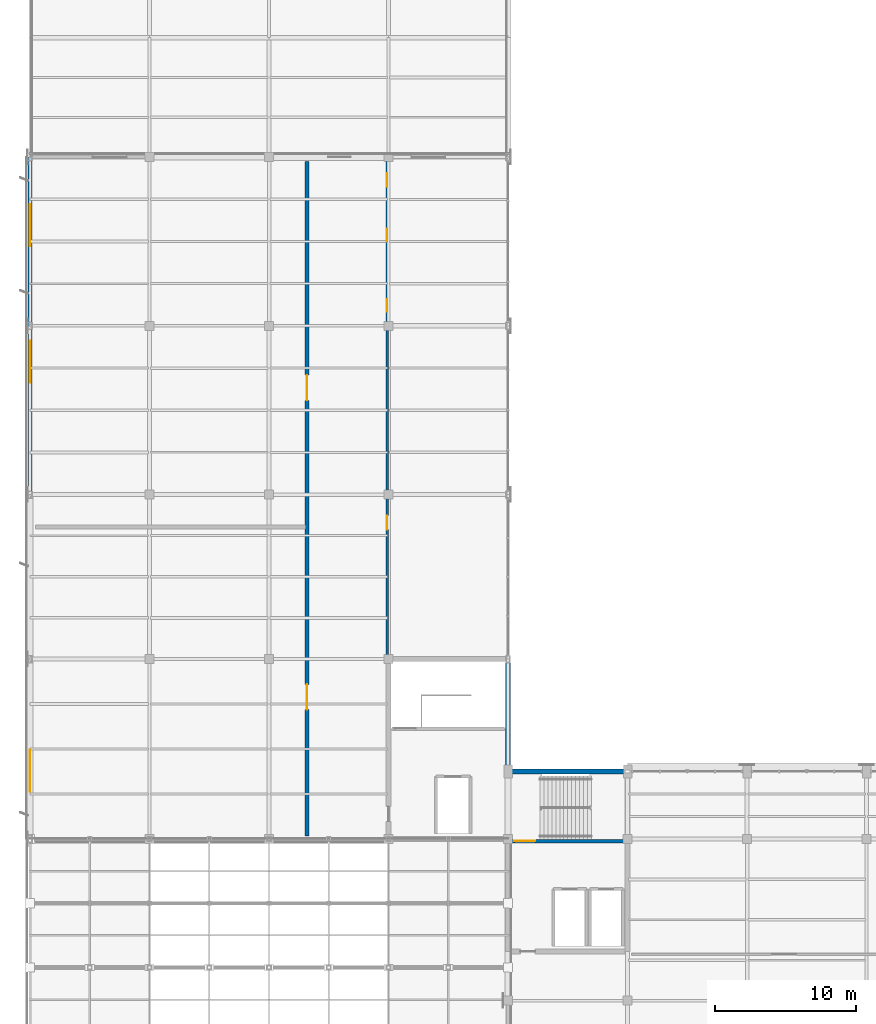
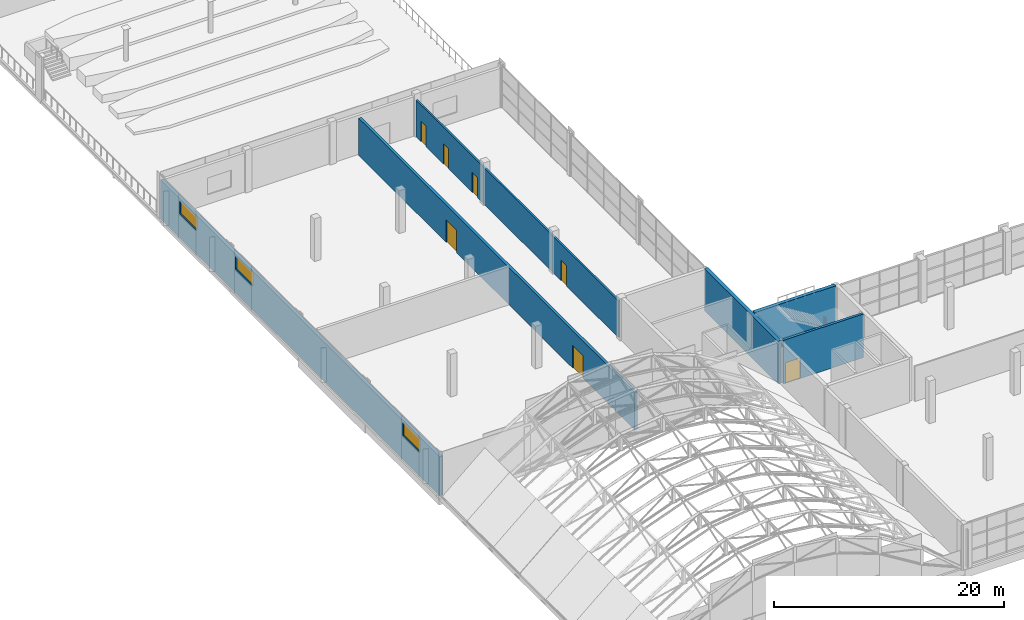
# One storey, part 69 of 86: 7 doors, 6 walls, 3 windows, 10 openings.
"""IFC4 building model written with IfcOpenShell, lengths in metres."""

from ifc_helpers import new_model, si_unit, direction, frame, frame_2d, origin, place, context, subcontext, project, spatial, rectangle, extrude, material, layer, layer_set, type_object, element, fill, save


model = new_model("IFC4")

# Units and contexts
model_context = context("Model", 3, precision=1e-05, world=origin(), true_north=direction((0.0, 1.0)))
body_context = subcontext(model_context, "Body", "Model", "MODEL_VIEW")
ifc_project = project(units=[si_unit("LENGTHUNIT", "METRE"), si_unit("AREAUNIT", "SQUARE_METRE"), si_unit("VOLUMEUNIT", "CUBIC_METRE"), si_unit("PLANEANGLEUNIT", "RADIAN"), si_unit("MASSUNIT", "GRAM", prefix="KILO")], contexts=[model_context])

# Site, building, storey
site_placement = place(None, origin())
site = spatial("IfcSite", under=ifc_project, at=site_placement, CompositionType="ELEMENT")
building_placement = place(site_placement, origin())
building = spatial("IfcBuilding", under=site, at=building_placement, Name="Solvikara Media Centre", CompositionType="ELEMENT")
storey_placement = place(building_placement, frame((0.0, 0.0, 15.0)))
storey = spatial("IfcBuildingStorey", under=building, at=storey_placement, Name="L03", CompositionType="ELEMENT", Elevation=15.0)

# Walls
ifc_material_1 = material(Name="Concrete fc' 45 MPa (C45/55)", Category="concrete")
ifc_layer_1 = layer(ifc_material_1, 0.35009765625)
ifc_layer_set_1 = layer_set([ifc_layer_1], Name="Concrete fc' 45 MPa (C45/55)")
wall_type_1 = type_object("IfcWallType", Name="WT-03", PredefinedType="SHEAR", material=ifc_layer_set_1)
wall_1_placement = place(storey_placement, frame((34.0, 32.0, 0.0), z_axis=(0.0, 0.0, 1.0), x_axis=(0.0, 1.0, 0.0)))
element("IfcWall", 1, at=wall_1_placement, inside=storey, type_object=wall_type_1, Name="CW-C1-L03-E", PredefinedType="SHEAR", context=body_context, shape_type="SweptSolid", body=[
    extrude(rectangle(XDim=12.800048828125, YDim=0.35009765625, at=frame_2d((6.39990234375, 0.0))), origin(), (0.0, 0.0, 1.0), 4.489990234375),
])
wall_2_placement = place(storey_placement, frame((34.175048828125, 36.800048828125, 0.0), z_axis=(0.0, 0.0, 1.0), x_axis=(1.0, 0.0, 0.0)))
element("IfcWall", 2, at=wall_2_placement, inside=storey, type_object=wall_type_1, Name="CW-C2-L03-N", PredefinedType="SHEAR", context=body_context, shape_type="SweptSolid", body=[
    extrude(rectangle(XDim=8.14990234375, YDim=0.35009765625, at=frame_2d((4.074951171875, 0.0))), origin(), (0.0, 0.0, 1.0), 4.639892578125),
])

# Wall, opening, door
ifc_layer_2 = layer(ifc_material_1, 0.25)
ifc_layer_set_2 = layer_set([ifc_layer_2], Name="Concrete fc' 45 MPa (C45/55)")
wall_type_2 = type_object("IfcWallType", Name="WT-07", PredefinedType="STANDARD", material=ifc_layer_set_2)
wall_3_placement = place(storey_placement, frame((34.25, 31.85009765625, 0.0), z_axis=(0.0, 0.0, 1.0), x_axis=(1.0, 0.0, 0.0)))
wall_3 = element("IfcWall", 3, at=wall_3_placement, inside=storey, type_object=wall_type_2, Name="CW-C2-L03-SD", PredefinedType="STANDARD", context=body_context, shape_type="SweptSolid", body=[
    extrude(rectangle(XDim=8.0, YDim=0.25, at=frame_2d((4.0, 0.0))), origin(), (0.0, 0.0, 1.0), 4.639892578125),
])
opening_1_placement = place(wall_3_placement, frame((0.199951171875, 0.0, 0.0)))
opening_1 = element("IfcOpeningElement", 4, at=opening_1_placement, cuts=wall_3, Name="Opening D-C2-L03-ST", PredefinedType="OPENING", context=body_context, shape_type="SweptSolid", body=[
    extrude(rectangle(XDim=1.5, YDim=2.199951171875, at=frame_2d((0.75, 1.10009765625))), frame((0.0, 0.136962890625, 0.0), z_axis=(0.0, -1.0, 0.0), x_axis=(1.0, 0.0, 0.0)), (0.0, 0.0, 1.0), 0.27392578125),
])
ifc_material_2 = material(Name="Insulated fire-rated steel door leaf", Category="steel")
door_type_1 = type_object("IfcDoorType", Name="DT-08", OperationType="DOUBLE_DOOR_SINGLE_SWING", PredefinedType="DOOR", material=ifc_material_2)
door_1_placement = place(opening_1_placement, frame((1.5, 0.0, 0.0), z_axis=(0.0, 0.0, 1.0), x_axis=(-1.0, 0.0, 0.0)))
door_1 = element("IfcDoor", 5, at=door_1_placement, inside=storey, type_object=door_type_1, Name="D-C2-L03-ST", OperationType="DOUBLE_DOOR_SINGLE_SWING", OverallHeight=2.199951171875, OverallWidth=1.5, PredefinedType="DOOR", context=body_context, shape_type="SweptSolid", body=[
    extrude(rectangle(XDim=1.5, YDim=2.199951171875, at=frame_2d((0.75, 1.10009765625))), frame((0.0, 0.02490234375, 0.0), z_axis=(0.0, -1.0, 0.0), x_axis=(1.0, 0.0, 0.0)), (0.0, 0.0, 1.0), 0.050048828125),
])
fill(opening_1, door_1)

# Wall, openings, windows
ifc_material_3 = material(Name="Precast concrete fc' 40 MPa (C40/50)", Category="concrete")
ifc_layer_3 = layer(ifc_material_3, 0.2900390625)
ifc_layer_set_3 = layer_set([ifc_layer_3], Name="Precast concrete fc' 40 MPa (C40/50)")
wall_type_3 = type_object("IfcWallType", Name="WT-11", PredefinedType="STANDARD", material=ifc_layer_set_3)
wall_4_placement = place(storey_placement, frame((0.0, 32.0, 0.0), z_axis=(0.0, 0.0, 1.0), x_axis=(0.0, 1.0, 0.0)))
wall_4 = element("IfcWall", 6, at=wall_4_placement, inside=storey, type_object=wall_type_3, Name="EW-L03-V4-W", PredefinedType="STANDARD", context=body_context, shape_type="SweptSolid", body=[
    extrude(rectangle(XDim=48.5, YDim=0.2900390625, at=frame_2d((24.25, 0.0))), origin(), (0.0, 0.0, 1.0), 4.157958984375),
])
opening_2_placement = place(wall_4_placement, frame((3.35009765625, 0.0, 2.597900390625)))
opening_2 = element("IfcOpeningElement", 7, at=opening_2_placement, cuts=wall_4, Name="Opening W-L03-V4W-W01", PredefinedType="OPENING", context=body_context, shape_type="SweptSolid", body=[
    extrude(rectangle(XDim=3.0, YDim=1.39990234375, at=frame_2d((1.5, 0.699951171875))), frame((0.0, 0.156982421875, 0.0), z_axis=(0.0, -1.0, 0.0), x_axis=(1.0, 0.0, 0.0)), (0.0, 0.0, 1.0), 0.31396484375),
])
opening_3_placement = place(wall_4_placement, frame((32.449951171875, 0.0, 2.597900390625)))
opening_3 = element("IfcOpeningElement", 8, at=opening_3_placement, cuts=wall_4, Name="Opening W-L03-V4W-W04", PredefinedType="OPENING", context=body_context, shape_type="SweptSolid", body=[
    extrude(rectangle(XDim=3.0, YDim=1.39990234375, at=frame_2d((1.5, 0.699951171875))), frame((0.0, 0.156982421875, 0.0), z_axis=(0.0, -1.0, 0.0), x_axis=(1.0, 0.0, 0.0)), (0.0, 0.0, 1.0), 0.31396484375),
])
opening_4_placement = place(wall_4_placement, frame((42.14990234375, 0.0, 2.597900390625)))
opening_4 = element("IfcOpeningElement", 9, at=opening_4_placement, cuts=wall_4, Name="Opening W-L03-V4W-W05", PredefinedType="OPENING", context=body_context, shape_type="SweptSolid", body=[
    extrude(rectangle(XDim=3.0, YDim=1.39990234375, at=frame_2d((1.5, 0.699951171875))), frame((0.0, 0.156982421875, 0.0), z_axis=(0.0, -1.0, 0.0), x_axis=(1.0, 0.0, 0.0)), (0.0, 0.0, 1.0), 0.31396484375),
])
ifc_material_4 = material(Name="Double-glazed low-E architectural glass", Category="glass")
window_type = type_object("IfcWindowType", Name="WN-10", PartitioningType="SINGLE_PANEL", PredefinedType="WINDOW", material=ifc_material_4)
window_1_placement = place(opening_2_placement, origin())
window_1 = element("IfcWindow", 10, at=window_1_placement, inside=storey, type_object=window_type, Name="W-L03-V4W-W01", OverallHeight=1.39990234375, OverallWidth=3.0, PartitioningType="SINGLE_PANEL", PredefinedType="WINDOW", context=body_context, shape_type="SweptSolid", body=[
    extrude(rectangle(XDim=3.0, YDim=1.39990234375, at=frame_2d((1.5, 0.699951171875))), frame((0.0, 0.030029296875, 0.0), z_axis=(0.0, -1.0, 0.0), x_axis=(1.0, 0.0, 0.0)), (0.0, 0.0, 1.0), 0.06005859375),
])
fill(opening_2, window_1)
window_2_placement = place(opening_3_placement, origin())
window_2 = element("IfcWindow", 11, at=window_2_placement, inside=storey, type_object=window_type, Name="W-L03-V4W-W04", OverallHeight=1.39990234375, OverallWidth=3.0, PartitioningType="SINGLE_PANEL", PredefinedType="WINDOW", context=body_context, shape_type="SweptSolid", body=[
    extrude(rectangle(XDim=3.0, YDim=1.39990234375, at=frame_2d((1.5, 0.699951171875))), frame((0.0, 0.030029296875, 0.0), z_axis=(0.0, -1.0, 0.0), x_axis=(1.0, 0.0, 0.0)), (0.0, 0.0, 1.0), 0.06005859375),
])
fill(opening_3, window_2)
window_3_placement = place(opening_4_placement, origin())
window_3 = element("IfcWindow", 12, at=window_3_placement, inside=storey, type_object=window_type, Name="W-L03-V4W-W05", OverallHeight=1.39990234375, OverallWidth=3.0, PartitioningType="SINGLE_PANEL", PredefinedType="WINDOW", context=body_context, shape_type="SweptSolid", body=[
    extrude(rectangle(XDim=3.0, YDim=1.39990234375, at=frame_2d((1.5, 0.699951171875))), frame((0.0, 0.030029296875, 0.0), z_axis=(0.0, -1.0, 0.0), x_axis=(1.0, 0.0, 0.0)), (0.0, 0.0, 1.0), 0.06005859375),
])
fill(opening_4, window_3)

# Wall, openings, doors
ifc_material_5 = material(Name="Double-stud acoustic gypsum partition assembly")
ifc_layer_4 = layer(ifc_material_5, 0.27001953125)
ifc_layer_set_4 = layer_set([ifc_layer_4], Name="Double-stud acoustic gypsum partition assembly")
wall_type_4 = type_object("IfcWallType", Name="WT-16", PredefinedType="PARTITIONING", material=ifc_layer_set_4)
wall_5_placement = place(storey_placement, frame((19.699951171875, 32.199951171875, 0.0), z_axis=(0.0, 0.0, 1.0), x_axis=(0.0, 1.0, 0.0)))
wall_5 = element("IfcWall", 13, at=wall_5_placement, inside=storey, type_object=wall_type_4, Name="PW-L03-071", PredefinedType="PARTITIONING", context=body_context, shape_type="SweptSolid", body=[
    extrude(rectangle(XDim=48.0, YDim=0.27001953125, at=frame_2d((24.0, 0.0))), origin(), (0.0, 0.0, 1.0), 3.964111328125),
])
opening_5_placement = place(wall_5_placement, frame((9.0, 0.0, 0.0)))
opening_5 = element("IfcOpeningElement", 14, at=opening_5_placement, cuts=wall_5, Name="Opening D-L03-071-1", PredefinedType="OPENING", context=body_context, shape_type="SweptSolid", body=[
    extrude(rectangle(XDim=1.800048828125, YDim=2.39990234375, at=frame_2d((0.89990234375, 1.199951171875))), frame((0.0, 0.14697265625, 0.0), z_axis=(0.0, -1.0, 0.0), x_axis=(1.0, 0.0, 0.0)), (0.0, 0.0, 1.0), 0.2939453125),
])
opening_6_placement = place(wall_5_placement, frame((31.0, 0.0, 0.0)))
opening_6 = element("IfcOpeningElement", 15, at=opening_6_placement, cuts=wall_5, Name="Opening D-L03-071-2", PredefinedType="OPENING", context=body_context, shape_type="SweptSolid", body=[
    extrude(rectangle(XDim=1.800048828125, YDim=2.39990234375, at=frame_2d((0.89990234375, 1.199951171875))), frame((0.0, 0.14697265625, 0.0), z_axis=(0.0, -1.0, 0.0), x_axis=(1.0, 0.0, 0.0)), (0.0, 0.0, 1.0), 0.2939453125),
])
ifc_material_6 = material(Name="Solid core acoustic hardwood timber", Category="wood")
door_type_2 = type_object("IfcDoorType", Name="DT-12", OperationType="DOUBLE_DOOR_SINGLE_SWING", PredefinedType="DOOR", material=ifc_material_6)
door_2_placement = place(opening_5_placement, frame((1.800048828125, 0.0, 0.0), z_axis=(0.0, 0.0, 1.0), x_axis=(-1.0, 0.0, 0.0)))
door_2 = element("IfcDoor", 16, at=door_2_placement, inside=storey, type_object=door_type_2, Name="D-L03-071-1", OperationType="DOUBLE_DOOR_SINGLE_SWING", OverallHeight=2.39990234375, OverallWidth=1.800048828125, PredefinedType="DOOR", context=body_context, shape_type="SweptSolid", body=[
    extrude(rectangle(XDim=1.800048828125, YDim=2.39990234375, at=frame_2d((0.89990234375, 1.199951171875))), frame((0.0, 0.02490234375, 0.0), z_axis=(0.0, -1.0, 0.0), x_axis=(1.0, 0.0, 0.0)), (0.0, 0.0, 1.0), 0.050048828125),
])
fill(opening_5, door_2)
door_3_placement = place(opening_6_placement, frame((1.800048828125, 0.0, 0.0), z_axis=(0.0, 0.0, 1.0), x_axis=(-1.0, 0.0, 0.0)))
door_3 = element("IfcDoor", 17, at=door_3_placement, inside=storey, type_object=door_type_2, Name="D-L03-071-2", OperationType="DOUBLE_DOOR_SINGLE_SWING", OverallHeight=2.39990234375, OverallWidth=1.800048828125, PredefinedType="DOOR", context=body_context, shape_type="SweptSolid", body=[
    extrude(rectangle(XDim=1.800048828125, YDim=2.39990234375, at=frame_2d((0.89990234375, 1.199951171875))), frame((0.0, 0.02490234375, 0.0), z_axis=(0.0, -1.0, 0.0), x_axis=(1.0, 0.0, 0.0)), (0.0, 0.0, 1.0), 0.050048828125),
])
fill(opening_6, door_3)

ifc_material_7 = material(Name="Fire-rated gypsum and mineral-wool shaft wall assembly")
ifc_layer_5 = layer(ifc_material_7, 0.179931640625)
ifc_layer_set_5 = layer_set([ifc_layer_5], Name="Fire-rated gypsum and mineral-wool shaft wall assembly")
wall_type_5 = type_object("IfcWallType", Name="WT-18", PredefinedType="PARTITIONING", material=ifc_layer_set_5)
wall_6_placement = place(storey_placement, frame((25.39990234375, 45.0, 0.0), z_axis=(0.0, 0.0, 1.0), x_axis=(0.0, 1.0, 0.0)))
wall_6 = element("IfcWall", 18, at=wall_6_placement, inside=storey, type_object=wall_type_5, Name="PW-L03-073", PredefinedType="PARTITIONING", context=body_context, shape_type="SweptSolid", body=[
    extrude(rectangle(XDim=35.199951171875, YDim=0.179931640625, at=frame_2d((17.60009765625, 0.0))), origin(), (0.0, 0.0, 1.0), 3.889892578125),
])
opening_7_placement = place(wall_6_placement, frame((9.0, 0.0, 0.0)))
opening_7 = element("IfcOpeningElement", 19, at=opening_7_placement, cuts=wall_6, Name="Opening D-L03-073-1", PredefinedType="OPENING", context=body_context, shape_type="SweptSolid", body=[
    extrude(rectangle(XDim=1.0, YDim=2.14990234375, at=frame_2d((0.5, 1.074951171875))), frame((0.0, 0.10205078125, 0.0), z_axis=(0.0, -1.0, 0.0), x_axis=(1.0, 0.0, 0.0)), (0.0, 0.0, 1.0), 0.203857421875),
])
opening_8_placement = place(wall_6_placement, frame((24.5, 0.0, 0.0)))
opening_8 = element("IfcOpeningElement", 20, at=opening_8_placement, cuts=wall_6, Name="Opening D-L03-073-2", PredefinedType="OPENING", context=body_context, shape_type="SweptSolid", body=[
    extrude(rectangle(XDim=0.89990234375, YDim=2.14990234375, at=frame_2d((0.449951171875, 1.074951171875))), frame((0.0, 0.10205078125, 0.0), z_axis=(0.0, -1.0, 0.0), x_axis=(1.0, 0.0, 0.0)), (0.0, 0.0, 1.0), 0.203857421875),
])
opening_9_placement = place(wall_6_placement, frame((29.5, 0.0, 0.0)))
opening_9 = element("IfcOpeningElement", 21, at=opening_9_placement, cuts=wall_6, Name="Opening D-L03-073-3", PredefinedType="OPENING", context=body_context, shape_type="SweptSolid", body=[
    extrude(rectangle(XDim=0.89990234375, YDim=2.14990234375, at=frame_2d((0.449951171875, 1.074951171875))), frame((0.0, 0.10205078125, 0.0), z_axis=(0.0, -1.0, 0.0), x_axis=(1.0, 0.0, 0.0)), (0.0, 0.0, 1.0), 0.203857421875),
])
opening_10_placement = place(wall_6_placement, frame((33.39990234375, 0.0, 0.0)))
opening_10 = element("IfcOpeningElement", 22, at=opening_10_placement, cuts=wall_6, Name="Opening D-L03-073-4", PredefinedType="OPENING", context=body_context, shape_type="SweptSolid", body=[
    extrude(rectangle(XDim=0.949951171875, YDim=2.14990234375, at=frame_2d((0.47509765625, 1.074951171875))), frame((0.0, 0.10205078125, 0.0), z_axis=(0.0, -1.0, 0.0), x_axis=(1.0, 0.0, 0.0)), (0.0, 0.0, 1.0), 0.203857421875),
])
door_type_3 = type_object("IfcDoorType", Name="DT-16", OperationType="NOTDEFINED", PredefinedType="DOOR", material=ifc_material_6)
door_4_placement = place(opening_7_placement, origin())
door_4 = element("IfcDoor", 23, at=door_4_placement, inside=storey, type_object=door_type_3, Name="D-L03-073-1", OperationType="SINGLE_SWING_LEFT", OverallHeight=2.14990234375, OverallWidth=1.0, PredefinedType="DOOR", context=body_context, shape_type="SweptSolid", body=[
    extrude(rectangle(XDim=1.0, YDim=2.14990234375, at=frame_2d((0.5, 1.074951171875))), frame((0.0, 0.02490234375, 0.0), z_axis=(0.0, -1.0, 0.0), x_axis=(1.0, 0.0, 0.0)), (0.0, 0.0, 1.0), 0.050048828125),
])
fill(opening_7, door_4)
door_type_4 = type_object("IfcDoorType", Name="DT-17", OperationType="NOTDEFINED", PredefinedType="DOOR", material=ifc_material_6)
door_5_placement = place(opening_10_placement, frame((0.949951171875, 0.0, 0.0), z_axis=(0.0, 0.0, 1.0), x_axis=(-1.0, 0.0, 0.0)))
door_5 = element("IfcDoor", 24, at=door_5_placement, inside=storey, type_object=door_type_4, Name="D-L03-073-4", OperationType="SINGLE_SWING_RIGHT", OverallHeight=2.14990234375, OverallWidth=0.949951171875, PredefinedType="DOOR", context=body_context, shape_type="SweptSolid", body=[
    extrude(rectangle(XDim=0.949951171875, YDim=2.14990234375, at=frame_2d((0.47509765625, 1.074951171875))), frame((0.0, 0.02490234375, 0.0), z_axis=(0.0, -1.0, 0.0), x_axis=(1.0, 0.0, 0.0)), (0.0, 0.0, 1.0), 0.050048828125),
])
fill(opening_10, door_5)
door_type_5 = type_object("IfcDoorType", Name="DT-18", OperationType="NOTDEFINED", PredefinedType="DOOR", material=ifc_material_6)
door_6_placement = place(opening_8_placement, origin())
door_6 = element("IfcDoor", 25, at=door_6_placement, inside=storey, type_object=door_type_5, Name="D-L03-073-2", OperationType="SINGLE_SWING_RIGHT", OverallHeight=2.14990234375, OverallWidth=0.89990234375, PredefinedType="DOOR", context=body_context, shape_type="SweptSolid", body=[
    extrude(rectangle(XDim=0.89990234375, YDim=2.14990234375, at=frame_2d((0.449951171875, 1.074951171875))), frame((0.0, 0.02490234375, 0.0), z_axis=(0.0, -1.0, 0.0), x_axis=(1.0, 0.0, 0.0)), (0.0, 0.0, 1.0), 0.050048828125),
])
fill(opening_8, door_6)
door_7_placement = place(opening_9_placement, origin())
door_7 = element("IfcDoor", 26, at=door_7_placement, inside=storey, type_object=door_type_5, Name="D-L03-073-3", OperationType="SINGLE_SWING_LEFT", OverallHeight=2.14990234375, OverallWidth=0.89990234375, PredefinedType="DOOR", context=body_context, shape_type="SweptSolid", body=[
    extrude(rectangle(XDim=0.89990234375, YDim=2.14990234375, at=frame_2d((0.449951171875, 1.074951171875))), frame((0.0, 0.02490234375, 0.0), z_axis=(0.0, -1.0, 0.0), x_axis=(1.0, 0.0, 0.0)), (0.0, 0.0, 1.0), 0.050048828125),
])
fill(opening_9, door_7)

save(model, "model.ifc")
